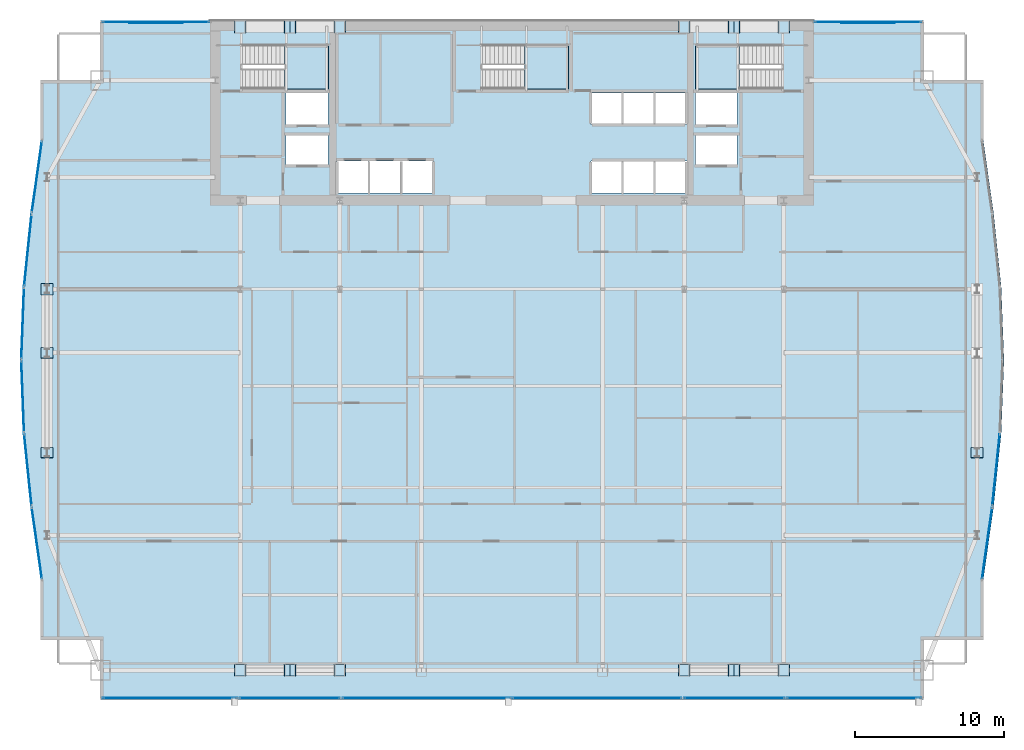
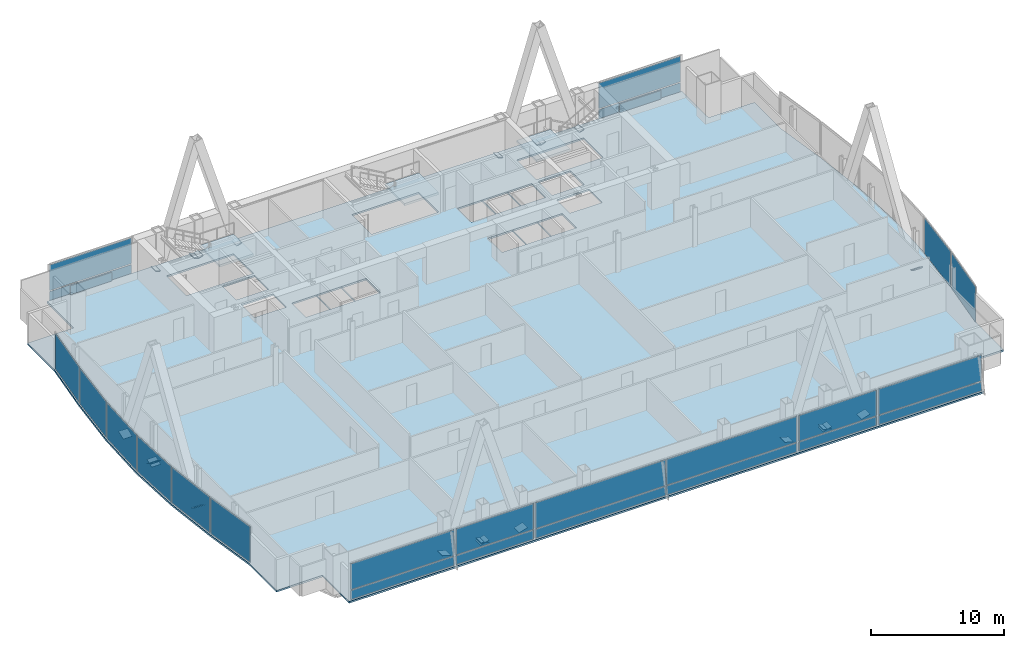
# One storey, part 24 of 30: 47 plates, 4 slabs, 18 elements without a shape of their own.
"""IFC4 building model written with IfcOpenShell, lengths in metres."""

from ifc_helpers import new_model, si_unit, direction, frame, origin, origin_2d, place, context, subcontext, project, spatial, polyline, rectangle, outline, extrude, material, layer, layer_set, type_object, element, aggregate, save


model = new_model("IFC4")

# Units and contexts
model_context = context("Model", 3, precision=1e-05, world=origin(), true_north=direction((0.0, 1.0)))
body_context = subcontext(model_context, "Body", "Model", "MODEL_VIEW")
ifc_project = project(units=[si_unit("LENGTHUNIT", "METRE"), si_unit("AREAUNIT", "SQUARE_METRE"), si_unit("VOLUMEUNIT", "CUBIC_METRE"), si_unit("PLANEANGLEUNIT", "RADIAN"), si_unit("MASSUNIT", "GRAM", prefix="KILO")], contexts=[model_context])

# Site, building, storey
site_placement = place(None, origin())
site = spatial("IfcSite", under=ifc_project, at=site_placement, CompositionType="ELEMENT")
building_placement = place(site_placement, origin())
building = spatial("IfcBuilding", under=site, at=building_placement, Name="Khoronbel Lancet Exchange", CompositionType="ELEMENT")
storey_placement = place(building_placement, frame((0.0, 0.0, 147.0)))
storey = spatial("IfcBuildingStorey", under=building, at=storey_placement, Name="L36", CompositionType="ELEMENT", Elevation=147.0)

# Curtain wall, plate
ifc_material_1 = material(Name="Low-E Solar Control Insulating Glass", Category="glass")
curtain_wall_type_1 = type_object("IfcCurtainWallType", Name="CW-4", PredefinedType="NOTDEFINED", material=ifc_material_1)
curtain_wall_1_placement = place(storey_placement, origin())
curtain_wall_1 = element("IfcCurtainWall", 1, at=curtain_wall_1_placement, inside=storey, type_object=curtain_wall_type_1, Name="Unitised curtain wall CW-L36-E05", PredefinedType="NOTDEFINED")
ifc_material_2 = material(Name="Bronze-Anodised Aluminium 6063-T6", Category="aluminium")
ifc_layer_1 = layer(ifc_material_2, 0.050048828125, Name="Bronze-Anodised Aluminium 6063-T6")
ifc_layer_set_1 = layer_set([ifc_layer_1], Name="Bronze-Anodised Aluminium 6063-T6")
plate_type_1 = type_object("IfcPlateType", Name="PLT-CSP1", PredefinedType="SHEET", material=ifc_layer_set_1)
plate_1_placement = place(storey_placement, frame((3.990234375, 23.58349609375, 0.0849609375), z_axis=(0.0, 0.0, 1.0), x_axis=(-0.10293162277, 0.994688434151, 0.0)))
plate_1 = element("IfcPlate", 2, at=plate_1_placement, type_object=plate_type_1, Name="CW4 panel 1.1", PredefinedType="CURTAIN_PANEL", context=body_context, shape_type="SweptSolid", body=[
    extrude(rectangle(XDim=4.788330078125, YDim=0.0380859375, at=origin_2d()), origin(), (0.0, 0.0, 1.0), 3.27001953125),
])
aggregate(curtain_wall_1, [plate_1])

curtain_wall_2_placement = place(storey_placement, origin())
curtain_wall_2 = element("IfcCurtainWall", 3, at=curtain_wall_2_placement, inside=storey, type_object=curtain_wall_type_1, Name="Unitised curtain wall CW-L36-E06", PredefinedType="NOTDEFINED")
plate_2_placement = place(storey_placement, frame((3.64306640625, 28.494873046875, 0.0849609375), z_axis=(0.0, 0.0, 1.0), x_axis=(-0.037831321592, 0.999284139325, 0.0)))
plate_2 = element("IfcPlate", 4, at=plate_2_placement, type_object=plate_type_1, Name="CW4 panel 1.1", PredefinedType="CURTAIN_PANEL", context=body_context, shape_type="SweptSolid", body=[
    extrude(rectangle(XDim=4.763916015625, YDim=0.0380859375, at=origin_2d()), origin(), (0.0, 0.0, 1.0), 3.27001953125),
])
aggregate(curtain_wall_2, [plate_2])

curtain_wall_3_placement = place(storey_placement, origin())
curtain_wall_3 = element("IfcCurtainWall", 5, at=curtain_wall_3_placement, inside=storey, type_object=curtain_wall_type_1, Name="Unitised curtain wall CW-L36-E07", PredefinedType="NOTDEFINED")
plate_3_placement = place(storey_placement, frame((3.64306640625, 33.4052734375, 0.0849609375), z_axis=(0.0, 0.0, 1.0), x_axis=(0.037831321592, 0.999284139325, 0.0)))
plate_3 = element("IfcPlate", 6, at=plate_3_placement, type_object=plate_type_1, Name="CW4 panel 1.1", PredefinedType="CURTAIN_PANEL", context=body_context, shape_type="SweptSolid", body=[
    extrude(rectangle(XDim=4.763916015625, YDim=0.0380859375, at=origin_2d()), origin(), (0.0, 0.0, 1.0), 3.27001953125),
])
aggregate(curtain_wall_3, [plate_3])

curtain_wall_4_placement = place(storey_placement, origin())
curtain_wall_4 = element("IfcCurtainWall", 7, at=curtain_wall_4_placement, inside=storey, type_object=curtain_wall_type_1, Name="Unitised curtain wall CW-L36-E08", PredefinedType="NOTDEFINED")
plate_4_placement = place(storey_placement, frame((3.990234375, 38.31640625, 0.0849609375), z_axis=(0.0, 0.0, 1.0), x_axis=(0.10293162277, 0.994688434151, 0.0)))
plate_4 = element("IfcPlate", 8, at=plate_4_placement, type_object=plate_type_1, Name="CW4 panel 1.1", PredefinedType="CURTAIN_PANEL", context=body_context, shape_type="SweptSolid", body=[
    extrude(rectangle(XDim=4.788330078125, YDim=0.0380859375, at=origin_2d()), origin(), (0.0, 0.0, 1.0), 3.27001953125),
])
aggregate(curtain_wall_4, [plate_4])

curtain_wall_type_2 = type_object("IfcCurtainWallType", Name="CW-3", PredefinedType="NOTDEFINED", material=ifc_material_1)
curtain_wall_5_placement = place(storey_placement, origin())
curtain_wall_5 = element("IfcCurtainWall", 9, at=curtain_wall_5_placement, inside=storey, type_object=curtain_wall_type_2, Name="Unitised curtain wall CW-L36-NWFLK", PredefinedType="NOTDEFINED")
plate_5_placement = place(storey_placement, frame((12.580078125, 53.550048828125, 0.0498046875), z_axis=(0.0, 0.0, 1.0), x_axis=(-1.0, 0.0, 0.0)))
plate_5 = element("IfcPlate", 10, at=plate_5_placement, type_object=plate_type_1, Name="Insulated bronze spandrel cassette CW-L36-NWFLK", PredefinedType="SHEET", context=body_context, shape_type="SweptSolid", body=[
    extrude(rectangle(XDim=3.60009765625, YDim=0.050048828125, at=origin_2d()), origin(), (0.0, 0.0, 1.0), 0.800048828125),
])

curtain_wall_6_placement = place(storey_placement, origin())
curtain_wall_6 = element("IfcCurtainWall", 11, at=curtain_wall_6_placement, inside=storey, type_object=curtain_wall_type_2, Name="Unitised curtain wall CW-L36-NEFLK", PredefinedType="NOTDEFINED")
plate_6_placement = place(storey_placement, frame((60.320068359375, 53.550048828125, 0.0498046875), z_axis=(0.0, 0.0, 1.0), x_axis=(-1.0, 0.0, 0.0)))
plate_6 = element("IfcPlate", 12, at=plate_6_placement, type_object=plate_type_1, Name="Insulated bronze spandrel cassette CW-L36-NEFLK", PredefinedType="SHEET", context=body_context, shape_type="SweptSolid", body=[
    extrude(rectangle(XDim=3.60009765625, YDim=0.050048828125, at=origin_2d()), origin(), (0.0, 0.0, 1.0), 0.800048828125),
])

curtain_wall_7_placement = place(storey_placement, origin())
curtain_wall_7 = element("IfcCurtainWall", 13, at=curtain_wall_7_placement, inside=storey, type_object=curtain_wall_type_1, Name="Unitised curtain wall CW-L36-E21", PredefinedType="NOTDEFINED")
plate_7_placement = place(storey_placement, frame((68.90966796875, 23.58349609375, 0.0849609375), z_axis=(0.0, 0.0, 1.0), x_axis=(-0.10293162277, -0.994688434151, 0.0)))
plate_7 = element("IfcPlate", 14, at=plate_7_placement, type_object=plate_type_1, Name="CW4 panel 1.1", PredefinedType="CURTAIN_PANEL", context=body_context, shape_type="SweptSolid", body=[
    extrude(rectangle(XDim=4.788330078125, YDim=0.0380859375, at=origin_2d()), origin(), (0.0, 0.0, 1.0), 3.27001953125),
])
aggregate(curtain_wall_7, [plate_7])

# Curtain wall, plates
curtain_wall_8_placement = place(storey_placement, origin())
curtain_wall_8 = element("IfcCurtainWall", 15, at=curtain_wall_8_placement, inside=storey, type_object=curtain_wall_type_2, Name="Unitised curtain wall CW-L36-SWB", PredefinedType="NOTDEFINED")
plate_8_placement = place(storey_placement, frame((21.550048828125, 8.2900390625, 0.0849609375), z_axis=(0.0, 0.0, 1.0), x_axis=(1.0, 0.0, 0.0)))
plate_8 = element("IfcPlate", 16, at=plate_8_placement, type_object=plate_type_1, Name="CW3 panel 1.1", PredefinedType="CURTAIN_PANEL", context=body_context, shape_type="SweptSolid", body=[
    extrude(rectangle(XDim=6.72998046875, YDim=0.0380859375, at=origin_2d()), origin(), (0.0, 0.0, 1.0), 0.822509765625),
])
plate_9_placement = place(storey_placement, frame((21.550048828125, 8.2900390625, 0.99267578125), z_axis=(0.0, 0.0, 1.0), x_axis=(1.0, 0.0, 0.0)))
plate_9 = element("IfcPlate", 17, at=plate_9_placement, type_object=plate_type_1, Name="CW3 panel 1.2", PredefinedType="CURTAIN_PANEL", context=body_context, shape_type="SweptSolid", body=[
    extrude(rectangle(XDim=6.72998046875, YDim=0.0380859375, at=origin_2d()), origin(), (0.0, 0.0, 1.0), 2.362548828125),
])
aggregate(curtain_wall_8, [plate_8, plate_9])

curtain_wall_9_placement = place(storey_placement, origin())
curtain_wall_9 = element("IfcCurtainWall", 18, at=curtain_wall_9_placement, inside=storey, type_object=curtain_wall_type_2, Name="Unitised curtain wall CW-L36-SEB", PredefinedType="NOTDEFINED")
plate_10_placement = place(storey_placement, frame((51.35009765625, 8.2900390625, 0.0849609375), z_axis=(0.0, 0.0, 1.0), x_axis=(1.0, 0.0, 0.0)))
plate_10 = element("IfcPlate", 19, at=plate_10_placement, type_object=plate_type_1, Name="CW3 panel 1.1", PredefinedType="CURTAIN_PANEL", context=body_context, shape_type="SweptSolid", body=[
    extrude(rectangle(XDim=6.72998046875, YDim=0.0380859375, at=origin_2d()), origin(), (0.0, 0.0, 1.0), 0.822509765625),
])
plate_11_placement = place(storey_placement, frame((51.35009765625, 8.2900390625, 0.99267578125), z_axis=(0.0, 0.0, 1.0), x_axis=(1.0, 0.0, 0.0)))
plate_11 = element("IfcPlate", 20, at=plate_11_placement, type_object=plate_type_1, Name="CW3 panel 1.2", PredefinedType="CURTAIN_PANEL", context=body_context, shape_type="SweptSolid", body=[
    extrude(rectangle(XDim=6.72998046875, YDim=0.0380859375, at=origin_2d()), origin(), (0.0, 0.0, 1.0), 2.362548828125),
])
aggregate(curtain_wall_9, [plate_10, plate_11])

# Plate
ifc_layer_2 = layer(ifc_material_1, 0.035888671875, Name="Low-E Solar Control Insulating Glass")
ifc_layer_set_2 = layer_set([ifc_layer_2], Name="Low-E Solar Control Insulating Glass")
plate_type_2 = type_object("IfcPlateType", Name="PLT-CWP1", PredefinedType="CURTAIN_PANEL", material=ifc_layer_set_2)
plate_12_placement = place(storey_placement, frame((12.580078125, 53.610107421875, 0.0849609375), z_axis=(0.0, 0.0, 1.0), x_axis=(-1.0, 0.0, 0.0)))
plate_12 = element("IfcPlate", 21, at=plate_12_placement, type_object=plate_type_2, Name="CW3 panel 1.1", PredefinedType="CURTAIN_PANEL", context=body_context, shape_type="SweptSolid", body=[
    extrude(rectangle(XDim=7.110107421875, YDim=0.0380859375, at=origin_2d()), origin(), (0.0, 0.0, 1.0), 0.822509765625),
])

plate_13_placement = place(storey_placement, frame((12.580078125, 53.610107421875, 0.99267578125), z_axis=(0.0, 0.0, 1.0), x_axis=(-1.0, 0.0, 0.0)))
plate_13 = element("IfcPlate", 22, at=plate_13_placement, type_object=plate_type_2, Name="CW3 panel 1.2", PredefinedType="CURTAIN_PANEL", context=body_context, shape_type="SweptSolid", body=[
    extrude(rectangle(XDim=7.110107421875, YDim=0.0380859375, at=origin_2d()), origin(), (0.0, 0.0, 1.0), 2.362548828125),
])

aggregate(curtain_wall_5, [plate_12, plate_13, plate_5])

plate_14_placement = place(storey_placement, frame((60.320068359375, 53.610107421875, 0.0849609375), z_axis=(0.0, 0.0, 1.0), x_axis=(-1.0, 0.0, 0.0)))
plate_14 = element("IfcPlate", 23, at=plate_14_placement, type_object=plate_type_2, Name="CW3 panel 1.1", PredefinedType="CURTAIN_PANEL", context=body_context, shape_type="SweptSolid", body=[
    extrude(rectangle(XDim=7.110107421875, YDim=0.0380859375, at=origin_2d()), origin(), (0.0, 0.0, 1.0), 0.822509765625),
])

plate_15_placement = place(storey_placement, frame((60.320068359375, 53.610107421875, 0.99267578125), z_axis=(0.0, 0.0, 1.0), x_axis=(-1.0, 0.0, 0.0)))
plate_15 = element("IfcPlate", 24, at=plate_15_placement, type_object=plate_type_2, Name="CW3 panel 1.2", PredefinedType="CURTAIN_PANEL", context=body_context, shape_type="SweptSolid", body=[
    extrude(rectangle(XDim=7.110107421875, YDim=0.0380859375, at=origin_2d()), origin(), (0.0, 0.0, 1.0), 2.362548828125),
])

aggregate(curtain_wall_6, [plate_14, plate_15, plate_6])

# Curtain wall, plates
curtain_wall_10_placement = place(storey_placement, origin())
curtain_wall_10 = element("IfcCurtainWall", 25, at=curtain_wall_10_placement, inside=storey, type_object=curtain_wall_type_2, Name="Unitised curtain wall CW-L36-SWV", PredefinedType="NOTDEFINED")
plate_16_placement = place(storey_placement, frame((13.52001953125, 8.2900390625, 0.0849609375), z_axis=(0.0, 0.0, 1.0), x_axis=(1.0, 0.0, 0.0)))
plate_16 = element("IfcPlate", 26, at=plate_16_placement, type_object=plate_type_2, Name="CW3 panel 1.1", PredefinedType="CURTAIN_PANEL", context=body_context, shape_type="SweptSolid", body=[
    extrude(rectangle(XDim=8.989990234375, YDim=0.0380859375, at=origin_2d()), origin(), (0.0, 0.0, 1.0), 0.822509765625),
])
plate_17_placement = place(storey_placement, frame((13.52001953125, 8.2900390625, 0.99267578125), z_axis=(0.0, 0.0, 1.0), x_axis=(1.0, 0.0, 0.0)))
plate_17 = element("IfcPlate", 27, at=plate_17_placement, type_object=plate_type_2, Name="CW3 panel 1.2", PredefinedType="CURTAIN_PANEL", context=body_context, shape_type="SweptSolid", body=[
    extrude(rectangle(XDim=8.989990234375, YDim=0.0380859375, at=origin_2d()), origin(), (0.0, 0.0, 1.0), 2.362548828125),
])
aggregate(curtain_wall_10, [plate_16, plate_17])

curtain_wall_11_placement = place(storey_placement, origin())
curtain_wall_11 = element("IfcCurtainWall", 28, at=curtain_wall_11_placement, inside=storey, type_object=curtain_wall_type_2, Name="Unitised curtain wall CW-L36-SCV", PredefinedType="NOTDEFINED")
plate_18_placement = place(storey_placement, frame((30.746337890625, 8.2900390625, 0.0849609375), z_axis=(0.0, 0.0, 1.0), x_axis=(1.0, 0.0, 0.0)))
plate_18 = element("IfcPlate", 29, at=plate_18_placement, type_object=plate_type_2, Name="CW3 panel 1.1", PredefinedType="CURTAIN_PANEL", context=body_context, shape_type="SweptSolid", body=[
    extrude(rectangle(XDim=11.322509765625, YDim=0.0380859375, at=origin_2d()), origin(), (0.0, 0.0, 1.0), 0.822509765625),
])
plate_19_placement = place(storey_placement, frame((30.746337890625, 8.2900390625, 0.99267578125), z_axis=(0.0, 0.0, 1.0), x_axis=(1.0, 0.0, 0.0)))
plate_19 = element("IfcPlate", 30, at=plate_19_placement, type_object=plate_type_2, Name="CW3 panel 1.2", PredefinedType="CURTAIN_PANEL", context=body_context, shape_type="SweptSolid", body=[
    extrude(rectangle(XDim=11.322509765625, YDim=0.0380859375, at=origin_2d()), origin(), (0.0, 0.0, 1.0), 2.362548828125),
])
plate_20_placement = place(storey_placement, frame((42.15380859375, 8.2900390625, 0.0849609375), z_axis=(0.0, 0.0, 1.0), x_axis=(1.0, 0.0, 0.0)))
plate_20 = element("IfcPlate", 31, at=plate_20_placement, type_object=plate_type_2, Name="CW3 panel 2.1", PredefinedType="CURTAIN_PANEL", context=body_context, shape_type="SweptSolid", body=[
    extrude(rectangle(XDim=11.322509765625, YDim=0.0380859375, at=origin_2d()), origin(), (0.0, 0.0, 1.0), 0.822509765625),
])
plate_21_placement = place(storey_placement, frame((42.15380859375, 8.2900390625, 0.99267578125), z_axis=(0.0, 0.0, 1.0), x_axis=(1.0, 0.0, 0.0)))
plate_21 = element("IfcPlate", 32, at=plate_21_placement, type_object=plate_type_2, Name="CW3 panel 2.2", PredefinedType="CURTAIN_PANEL", context=body_context, shape_type="SweptSolid", body=[
    extrude(rectangle(XDim=11.322509765625, YDim=0.0380859375, at=origin_2d()), origin(), (0.0, 0.0, 1.0), 2.362548828125),
])
aggregate(curtain_wall_11, [plate_18, plate_19, plate_20, plate_21])

curtain_wall_12_placement = place(storey_placement, origin())
curtain_wall_12 = element("IfcCurtainWall", 33, at=curtain_wall_12_placement, inside=storey, type_object=curtain_wall_type_2, Name="Unitised curtain wall CW-L36-SEV", PredefinedType="NOTDEFINED")
plate_22_placement = place(storey_placement, frame((59.3798828125, 8.2900390625, 0.0849609375), z_axis=(0.0, 0.0, 1.0), x_axis=(1.0, 0.0, 0.0)))
plate_22 = element("IfcPlate", 34, at=plate_22_placement, type_object=plate_type_2, Name="CW3 panel 1.1", PredefinedType="CURTAIN_PANEL", context=body_context, shape_type="SweptSolid", body=[
    extrude(rectangle(XDim=8.989990234375, YDim=0.0380859375, at=origin_2d()), origin(), (0.0, 0.0, 1.0), 0.822509765625),
])
plate_23_placement = place(storey_placement, frame((59.3798828125, 8.2900390625, 0.99267578125), z_axis=(0.0, 0.0, 1.0), x_axis=(1.0, 0.0, 0.0)))
plate_23 = element("IfcPlate", 35, at=plate_23_placement, type_object=plate_type_2, Name="CW3 panel 1.2", PredefinedType="CURTAIN_PANEL", context=body_context, shape_type="SweptSolid", body=[
    extrude(rectangle(XDim=8.989990234375, YDim=0.0380859375, at=origin_2d()), origin(), (0.0, 0.0, 1.0), 2.362548828125),
])
aggregate(curtain_wall_12, [plate_22, plate_23])

# Curtain wall, plate
curtain_wall_13_placement = place(storey_placement, origin())
curtain_wall_13 = element("IfcCurtainWall", 36, at=curtain_wall_13_placement, inside=storey, type_object=curtain_wall_type_1, Name="Unitised curtain wall CW-L36-E04", PredefinedType="NOTDEFINED")
ifc_material_3 = material(Name="Ceramic-Fritted Laminated Insulating Glass", Category="glass")
ifc_layer_3 = layer(ifc_material_3, 0.0419921875, Name="Ceramic-Fritted Laminated Insulating Glass")
ifc_layer_set_3 = layer_set([ifc_layer_3], Name="Ceramic-Fritted Laminated Insulating Glass")
plate_type_3 = type_object("IfcPlateType", Name="PLT-CWP2", PredefinedType="CURTAIN_PANEL", material=ifc_layer_set_3)
plate_24_placement = place(storey_placement, frame((4.59228515625, 18.6669921875, 0.0849609375), z_axis=(0.0, 0.0, 1.0), x_axis=(-0.139953659169, 0.990158054699, 0.0)))
plate_24 = element("IfcPlate", 37, at=plate_24_placement, type_object=plate_type_3, Name="CW4 panel 1.1", PredefinedType="CURTAIN_PANEL", context=body_context, shape_type="SweptSolid", body=[
    extrude(rectangle(XDim=4.8203125, YDim=0.0380859375, at=origin_2d()), origin(), (0.0, 0.0, 1.0), 3.27001953125),
])
aggregate(curtain_wall_13, [plate_24])

curtain_wall_14_placement = place(storey_placement, origin())
curtain_wall_14 = element("IfcCurtainWall", 38, at=curtain_wall_14_placement, inside=storey, type_object=curtain_wall_type_1, Name="Unitised curtain wall CW-L36-E09", PredefinedType="NOTDEFINED")
plate_25_placement = place(storey_placement, frame((4.59228515625, 43.233154296875, 0.0849609375), z_axis=(0.0, 0.0, 1.0), x_axis=(0.139953659169, 0.990158054699, 0.0)))
plate_25 = element("IfcPlate", 39, at=plate_25_placement, type_object=plate_type_3, Name="CW4 panel 1.1", PredefinedType="CURTAIN_PANEL", context=body_context, shape_type="SweptSolid", body=[
    extrude(rectangle(XDim=4.8203125, YDim=0.0380859375, at=origin_2d()), origin(), (0.0, 0.0, 1.0), 3.27001953125),
])
aggregate(curtain_wall_14, [plate_25])

curtain_wall_15_placement = place(storey_placement, origin())
curtain_wall_15 = element("IfcCurtainWall", 40, at=curtain_wall_15_placement, inside=storey, type_object=curtain_wall_type_1, Name="Unitised curtain wall CW-L36-E22", PredefinedType="NOTDEFINED")
plate_26_placement = place(storey_placement, frame((68.307861328125, 18.6669921875, 0.0849609375), z_axis=(0.0, 0.0, 1.0), x_axis=(-0.139953659169, -0.990158054699, 0.0)))
plate_26 = element("IfcPlate", 41, at=plate_26_placement, type_object=plate_type_3, Name="CW4 panel 1.1", PredefinedType="CURTAIN_PANEL", context=body_context, shape_type="SweptSolid", body=[
    extrude(rectangle(XDim=4.8203125, YDim=0.0380859375, at=origin_2d()), origin(), (0.0, 0.0, 1.0), 3.27001953125),
])
aggregate(curtain_wall_15, [plate_26])

# Plates
ifc_material_4 = material(Name="Steel S460", Category="steel")
ifc_layer_4 = layer(ifc_material_4, 0.044921875, Name="Steel S460")
ifc_layer_set_4 = layer_set([ifc_layer_4], Name="Steel S460")
plate_type_4 = type_object("IfcPlateType", Name="PLT-ECP1", PredefinedType="USERDEFINED", material=ifc_layer_set_4)
for number, where, z_axis, x_axis, name in (
    (42, (21.954345703125, 9.75, -0.086669921875), (0.295458235126, 0.0, 0.955355656966), (0.0, 1.0, 0.0), "Hollow end cap plate PLT-CAP-MEM-MB-T11-S-W-L-1"),
    (43, (21.170654296875, 10.550048828125, -0.086669921875), (-0.295458235126, 0.0, 0.955355656966), (0.0, -1.0, 0.0), "Hollow end cap plate PLT-CAP-MEM-MB-T11-S-W-R-1"),
):
    element("IfcPlate", number, at=place(storey_placement, frame(where, z_axis=z_axis, x_axis=x_axis)), inside=storey, type_object=plate_type_4, Name=name, ObjectType="STIFFENER_PLATE", PredefinedType="USERDEFINED", context=body_context, shape_type="SweptSolid", body=[
        extrude(outline(polyline([(0.0, 0.0), (0.800048828125, 0.0), (0.800048828125, 0.7998046875), (0.0, 0.7998046875), (0.0, 0.0)])), origin(), (0.0, 0.0, -1.0), 0.044921875),
    ])
for number, where, z_axis, x_axis, name in (
    (44, (51.7294921875, 9.75, -0.086669921875), (0.295372103756, 0.0, 0.955382290145), (0.0, 1.0, 0.0), "Hollow end cap plate PLT-CAP-MEM-MB-T11-S-E-L-1"),
    (45, (50.945556640625, 10.550048828125, -0.086669921875), (-0.295372103756, 0.0, 0.955382290145), (0.0, -1.0, 0.0), "Hollow end cap plate PLT-CAP-MEM-MB-T11-S-E-R-1"),
):
    element("IfcPlate", number, at=place(storey_placement, frame(where, z_axis=z_axis, x_axis=x_axis)), inside=storey, type_object=plate_type_4, Name=name, ObjectType="STIFFENER_PLATE", PredefinedType="USERDEFINED", context=body_context, shape_type="SweptSolid", body=[
        extrude(outline(polyline([(0.0, 0.0), (0.800048828125, 0.0), (0.800048828125, 0.800048828125), (0.0, 0.800048828125), (0.0, 0.0)])), origin(), (0.0, 0.0, -1.0), 0.044921875),
    ])
for number, where, z_axis, x_axis, name in (
    (46, (21.954345703125, 52.8798828125, -0.086669921875), (0.295458235126, 0.0, 0.955355656966), (0.0, 1.0, 0.0), "Hollow end cap plate PLT-CAP-MEM-MB-T11-N-W-L-1"),
    (47, (21.170654296875, 53.679931640625, -0.086669921875), (-0.295458235126, 0.0, 0.955355656966), (0.0, -1.0, 0.0), "Hollow end cap plate PLT-CAP-MEM-MB-T11-N-W-R-1"),
):
    element("IfcPlate", number, at=place(storey_placement, frame(where, z_axis=z_axis, x_axis=x_axis)), inside=storey, type_object=plate_type_4, Name=name, ObjectType="STIFFENER_PLATE", PredefinedType="USERDEFINED", context=body_context, shape_type="SweptSolid", body=[
        extrude(outline(polyline([(0.0, 0.0), (0.800048828125, 0.0), (0.800048828125, 0.7998046875), (0.0, 0.7998046875), (0.0, 0.0)])), origin(), (0.0, 0.0, -1.0), 0.044921875),
    ])
for number, where, z_axis, x_axis, name in (
    (48, (51.7294921875, 52.8798828125, -0.086669921875), (0.295372103756, 0.0, 0.955382290145), (0.0, 1.0, 0.0), "Hollow end cap plate PLT-CAP-MEM-MB-T11-N-E-L-1"),
    (49, (50.945556640625, 53.679931640625, -0.086669921875), (-0.295372103756, 0.0, 0.955382290145), (0.0, -1.0, 0.0), "Hollow end cap plate PLT-CAP-MEM-MB-T11-N-E-R-1"),
):
    element("IfcPlate", number, at=place(storey_placement, frame(where, z_axis=z_axis, x_axis=x_axis)), inside=storey, type_object=plate_type_4, Name=name, ObjectType="STIFFENER_PLATE", PredefinedType="USERDEFINED", context=body_context, shape_type="SweptSolid", body=[
        extrude(outline(polyline([(0.0, 0.0), (0.800048828125, 0.0), (0.800048828125, 0.800048828125), (0.0, 0.800048828125), (0.0, 0.0)])), origin(), (0.0, 0.0, -1.0), 0.044921875),
    ])
plate_27_placement = place(storey_placement, frame((5.669921875, 31.78271484375, -0.18212890625), z_axis=(0.0, 0.525492880722, 0.850797997359), x_axis=(-1.0, 0.0, 0.0)))
element("IfcPlate", 50, at=plate_27_placement, inside=storey, type_object=plate_type_4, Name="Hollow end cap plate PLT-CAP-MEM-MB-T11-W-P-L-1", ObjectType="STIFFENER_PLATE", PredefinedType="USERDEFINED", context=body_context, shape_type="SweptSolid", body=[
    extrude(outline(polyline([(0.0, 0.0), (0.7998046875, 0.0), (0.7998046875, 0.800048828125), (0.0, 0.800048828125), (0.0, 0.0)])), origin(), (0.0, 0.0, -1.0), 0.044921875),
])
plate_28_placement = place(storey_placement, frame((4.8701171875, 31.041015625, -0.116455078125), z_axis=(0.0, -0.368125419582, 0.929776142659), x_axis=(1.0, 0.0, 0.0)))
element("IfcPlate", 51, at=plate_28_placement, inside=storey, type_object=plate_type_4, Name="Hollow end cap plate PLT-CAP-MEM-MB-T11-W-P-R-1", ObjectType="STIFFENER_PLATE", PredefinedType="USERDEFINED", context=body_context, shape_type="SweptSolid", body=[
    extrude(outline(polyline([(0.0, 0.0), (0.7998046875, 0.0), (0.7998046875, 0.7998046875), (0.0, 0.7998046875), (0.0, 0.0)])), origin(), (0.0, 0.0, -1.0), 0.044921875),
])
for number, where, z_axis, x_axis, name in (
    (52, (18.610595703125, 9.75, -0.106689453125), (0.295458235126, 0.0, 0.955355656966), (0.0, 1.0, 0.0), "Hollow end cap plate PLT-CAP-MEM-MB-T12-S-W-L-0"),
    (53, (24.514404296875, 10.550048828125, -0.106689453125), (-0.295458235126, 0.0, 0.955355656966), (0.0, -1.0, 0.0), "Hollow end cap plate PLT-CAP-MEM-MB-T12-S-W-R-0"),
):
    element("IfcPlate", number, at=place(storey_placement, frame(where, z_axis=z_axis, x_axis=x_axis)), inside=storey, type_object=plate_type_4, Name=name, ObjectType="STIFFENER_PLATE", PredefinedType="USERDEFINED", context=body_context, shape_type="SweptSolid", body=[
        extrude(outline(polyline([(0.0, 0.0), (0.800048828125, 0.0), (0.800048828125, 0.7998046875), (0.0, 0.7998046875), (0.0, 0.0)])), origin(), (0.0, 0.0, -1.0), 0.044921875),
    ])
for number, where, z_axis, x_axis, name in (
    (54, (48.3857421875, 9.75, -0.106689453125), (0.295372103756, 0.0, 0.955382290145), (0.0, 1.0, 0.0), "Hollow end cap plate PLT-CAP-MEM-MB-T12-S-E-L-0"),
    (55, (54.289306640625, 10.550048828125, -0.106689453125), (-0.295372103756, 0.0, 0.955382290145), (0.0, -1.0, 0.0), "Hollow end cap plate PLT-CAP-MEM-MB-T12-S-E-R-0"),
):
    element("IfcPlate", number, at=place(storey_placement, frame(where, z_axis=z_axis, x_axis=x_axis)), inside=storey, type_object=plate_type_4, Name=name, ObjectType="STIFFENER_PLATE", PredefinedType="USERDEFINED", context=body_context, shape_type="SweptSolid", body=[
        extrude(outline(polyline([(0.0, 0.0), (0.800048828125, 0.0), (0.800048828125, 0.800048828125), (0.0, 0.800048828125), (0.0, 0.0)])), origin(), (0.0, 0.0, -1.0), 0.044921875),
    ])
for number, where, z_axis, x_axis, name in (
    (56, (18.610595703125, 52.8798828125, -0.106689453125), (0.295458235126, 0.0, 0.955355656966), (0.0, 1.0, 0.0), "Hollow end cap plate PLT-CAP-MEM-MB-T12-N-W-L-0"),
    (57, (24.514404296875, 53.679931640625, -0.106689453125), (-0.295458235126, 0.0, 0.955355656966), (0.0, -1.0, 0.0), "Hollow end cap plate PLT-CAP-MEM-MB-T12-N-W-R-0"),
):
    element("IfcPlate", number, at=place(storey_placement, frame(where, z_axis=z_axis, x_axis=x_axis)), inside=storey, type_object=plate_type_4, Name=name, ObjectType="STIFFENER_PLATE", PredefinedType="USERDEFINED", context=body_context, shape_type="SweptSolid", body=[
        extrude(outline(polyline([(0.0, 0.0), (0.800048828125, 0.0), (0.800048828125, 0.7998046875), (0.0, 0.7998046875), (0.0, 0.0)])), origin(), (0.0, 0.0, -1.0), 0.044921875),
    ])
for number, where, z_axis, x_axis, name in (
    (58, (48.3857421875, 52.8798828125, -0.106689453125), (0.295372103756, 0.0, 0.955382290145), (0.0, 1.0, 0.0), "Hollow end cap plate PLT-CAP-MEM-MB-T12-N-E-L-0"),
    (59, (54.289306640625, 53.679931640625, -0.106689453125), (-0.295372103756, 0.0, 0.955382290145), (0.0, -1.0, 0.0), "Hollow end cap plate PLT-CAP-MEM-MB-T12-N-E-R-0"),
):
    element("IfcPlate", number, at=place(storey_placement, frame(where, z_axis=z_axis, x_axis=x_axis)), inside=storey, type_object=plate_type_4, Name=name, ObjectType="STIFFENER_PLATE", PredefinedType="USERDEFINED", context=body_context, shape_type="SweptSolid", body=[
        extrude(outline(polyline([(0.0, 0.0), (0.800048828125, 0.0), (0.800048828125, 0.800048828125), (0.0, 0.800048828125), (0.0, 0.0)])), origin(), (0.0, 0.0, -1.0), 0.044921875),
    ])
for number, where, z_axis, x_axis, name in (
    (60, (5.669921875, 25.0966796875, -0.2001953125), (0.0, 0.525713722958, 0.850661555199), (-1.0, 0.0, 0.0), "Hollow end cap plate PLT-CAP-MEM-MB-T12-W-P-L-0"),
    (61, (4.8701171875, 35.32373046875, -0.135986328125), (0.0, -0.368020969419, 0.92981749073), (1.0, 0.0, 0.0), "Hollow end cap plate PLT-CAP-MEM-MB-T12-W-P-R-0"),
):
    element("IfcPlate", number, at=place(storey_placement, frame(where, z_axis=z_axis, x_axis=x_axis)), inside=storey, type_object=plate_type_4, Name=name, ObjectType="STIFFENER_PLATE", PredefinedType="USERDEFINED", context=body_context, shape_type="SweptSolid", body=[
        extrude(outline(polyline([(0.0, 0.0), (0.7998046875, 0.0), (0.7998046875, 0.800048828125), (0.0, 0.800048828125), (0.0, 0.0)])), origin(), (0.0, 0.0, -1.0), 0.044921875),
    ])
plate_29_placement = place(storey_placement, frame((68.030029296875, 25.0966796875, -0.2001953125), z_axis=(0.0, 0.525713722958, 0.850661555199), x_axis=(-1.0, 0.0, 0.0)))
element("IfcPlate", 62, at=plate_29_placement, inside=storey, type_object=plate_type_4, Name="Hollow end cap plate PLT-CAP-MEM-MB-T12-E-P-L-0", ObjectType="STIFFENER_PLATE", PredefinedType="USERDEFINED", context=body_context, shape_type="SweptSolid", body=[
    extrude(outline(polyline([(0.0, 0.0), (0.800048828125, 0.0), (0.800048828125, 0.800048828125), (0.0, 0.800048828125), (0.0, 0.0)])), origin(), (0.0, 0.0, -1.0), 0.044921875),
])

# Slab
ifc_material_5 = material(Name="Concrete C40/50", Category="concrete")
ifc_layer_5 = layer(ifc_material_5, 0.159912109375, Name="Concrete C40/50")
ifc_layer_set_5 = layer_set([ifc_layer_5], Name="Concrete C40/50")
slab_type_1 = type_object("IfcSlabType", Name="SL-FL160", PredefinedType="FLOOR", material=ifc_layer_set_5)
slab_1_placement = place(storey_placement, frame((0.0, 0.0, -0.159912109375)))
element("IfcSlab", 63, at=slab_1_placement, inside=storey, type_object=slab_type_1, Name="Level L36 composite structural floor slab", PredefinedType="FLOOR", context=body_context, shape_type="SweptSolid", body=[
    extrude(outline(polyline([(8.85009765625, 8.199951171875), (64.050048828125, 8.199951171875), (64.050048828125, 12.199951171875), (68.050048828125, 12.199951171875), (68.050048828125, 16.199951171875), (68.744873046875, 21.11669921875), (69.253662109375, 26.033203125), (69.43994140625, 30.949951171875), (69.253662109375, 35.86669921875), (68.744873046875, 40.783203125), (68.050048828125, 45.699951171875), (68.050048828125, 49.699951171875), (64.050048828125, 49.699951171875), (64.050048828125, 53.699951171875), (8.85009765625, 53.699951171875), (8.85009765625, 49.699951171875), (4.85009765625, 49.699951171875), (4.85009765625, 45.699951171875), (4.155029296875, 40.783203125), (3.646240234375, 35.86669921875), (3.460205078125, 30.949951171875), (3.646240234375, 26.033203125), (4.155029296875, 21.11669921875), (4.85009765625, 16.199951171875), (4.85009765625, 12.199951171875), (8.85009765625, 12.199951171875), (8.85009765625, 8.199951171875)]), holes=[polyline([(18.324951171875, 49.1201171875), (24.14990234375, 49.1201171875), (24.14990234375, 52.10009765625), (18.324951171875, 52.10009765625), (18.324951171875, 49.1201171875)]), polyline([(48.75, 49.1201171875), (54.574951171875, 49.1201171875), (54.574951171875, 52.10009765625), (48.75, 52.10009765625), (48.75, 49.1201171875)]), polyline([(34.425048828125, 49.1201171875), (40.25, 49.1201171875), (40.25, 52.10009765625), (34.425048828125, 52.10009765625), (34.425048828125, 49.1201171875)]), polyline([(24.699951171875, 42.14990234375), (26.840087890625, 42.14990234375), (26.840087890625, 44.300048828125), (24.699951171875, 44.300048828125), (24.699951171875, 42.14990234375)]), polyline([(26.860107421875, 42.14990234375), (29.0, 42.14990234375), (29.0, 44.300048828125), (26.860107421875, 44.300048828125), (26.860107421875, 42.14990234375)]), polyline([(29.02001953125, 42.14990234375), (31.159912109375, 42.14990234375), (31.159912109375, 44.300048828125), (29.02001953125, 44.300048828125), (29.02001953125, 42.14990234375)]), polyline([(41.739990234375, 46.75), (43.8798828125, 46.75), (43.8798828125, 48.85009765625), (41.739990234375, 48.85009765625), (41.739990234375, 46.75)]), polyline([(43.89990234375, 46.75), (46.0400390625, 46.75), (46.0400390625, 48.85009765625), (43.89990234375, 48.85009765625), (43.89990234375, 46.75)]), polyline([(46.06005859375, 46.75), (48.199951171875, 46.75), (48.199951171875, 48.85009765625), (46.06005859375, 48.85009765625), (46.06005859375, 46.75)]), polyline([(41.739990234375, 42.14990234375), (43.8798828125, 42.14990234375), (43.8798828125, 44.300048828125), (41.739990234375, 44.300048828125), (41.739990234375, 42.14990234375)]), polyline([(43.89990234375, 42.14990234375), (46.0400390625, 42.14990234375), (46.0400390625, 44.300048828125), (43.89990234375, 44.300048828125), (43.89990234375, 42.14990234375)]), polyline([(46.06005859375, 42.14990234375), (48.199951171875, 42.14990234375), (48.199951171875, 44.300048828125), (46.06005859375, 44.300048828125), (46.06005859375, 42.14990234375)]), polyline([(21.300048828125, 46.75), (24.10009765625, 46.75), (24.10009765625, 48.85009765625), (21.300048828125, 48.85009765625), (21.300048828125, 46.75)]), polyline([(48.75, 46.75), (51.550048828125, 46.75), (51.550048828125, 48.85009765625), (48.75, 48.85009765625), (48.75, 46.75)]), polyline([(21.300048828125, 44.050048828125), (24.10009765625, 44.050048828125), (24.10009765625, 46.050048828125), (21.300048828125, 46.050048828125), (21.300048828125, 44.050048828125)]), polyline([(48.75, 44.050048828125), (51.550048828125, 44.050048828125), (51.550048828125, 46.050048828125), (48.75, 46.050048828125), (48.75, 44.050048828125)])]), origin(), (0.0, 0.0, 1.0), 0.159912109375),
])

# Stair, slab
stair_type = type_object("IfcStairType", Name="STR-CORE150", PredefinedType="HALF_TURN_STAIR", material=ifc_material_5)
stair_1_placement = place(storey_placement, origin())
stair_1 = element("IfcStair", 64, at=stair_1_placement, inside=storey, type_object=stair_type, Name="L36 Protected Exit Stair ST1", PredefinedType="HALF_TURN_STAIR")
ifc_layer_6 = layer(ifc_material_5, 0.199951171875, Name="Concrete C40/50")
ifc_layer_set_6 = layer_set([ifc_layer_6], Name="Concrete C40/50")
slab_type_2 = type_object("IfcSlabType", Name="SL-LND180", PredefinedType="LANDING", material=ifc_layer_set_6)
slab_2_placement = place(storey_placement, frame((0.0, 0.0, 1.60009765625)))
slab_2 = element("IfcSlab", 65, at=slab_2_placement, type_object=slab_type_2, Name="ST1 landing 1", PredefinedType="LANDING", context=body_context, shape_type="SweptSolid", body=[
    extrude(outline(polyline([(21.199951171875, 49.1201171875), (24.14990234375, 49.1201171875), (24.14990234375, 52.10009765625), (21.199951171875, 52.10009765625), (21.199951171875, 49.1201171875)])), origin(), (0.0, 0.0, 1.0), 0.199951171875),
])
aggregate(stair_1, [slab_2])

stair_2_placement = place(storey_placement, origin())
stair_2 = element("IfcStair", 66, at=stair_2_placement, inside=storey, type_object=stair_type, Name="L36 Protected Exit Stair ST2", PredefinedType="HALF_TURN_STAIR")
slab_3_placement = place(storey_placement, frame((0.0, 0.0, 1.60009765625)))
slab_3 = element("IfcSlab", 67, at=slab_3_placement, type_object=slab_type_2, Name="ST2 landing 1", PredefinedType="LANDING", context=body_context, shape_type="SweptSolid", body=[
    extrude(outline(polyline([(51.699951171875, 52.10009765625), (48.75, 52.10009765625), (48.75, 49.1201171875), (51.699951171875, 49.1201171875), (51.699951171875, 52.10009765625)])), origin(), (0.0, 0.0, 1.0), 0.199951171875),
])
aggregate(stair_2, [slab_3])

stair_3_placement = place(storey_placement, origin())
stair_3 = element("IfcStair", 68, at=stair_3_placement, inside=storey, type_object=stair_type, Name="L36 Protected Exit Stair ST3", PredefinedType="HALF_TURN_STAIR")
slab_4_placement = place(storey_placement, frame((0.0, 0.0, 1.60009765625)))
slab_4 = element("IfcSlab", 69, at=slab_4_placement, type_object=slab_type_2, Name="ST3 landing 1", PredefinedType="LANDING", context=body_context, shape_type="SweptSolid", body=[
    extrude(outline(polyline([(37.300048828125, 49.1201171875), (40.25, 49.1201171875), (40.25, 52.10009765625), (37.300048828125, 52.10009765625), (37.300048828125, 49.1201171875)])), origin(), (0.0, 0.0, 1.0), 0.199951171875),
])
aggregate(stair_3, [slab_4])

save(model, "model.ifc")
